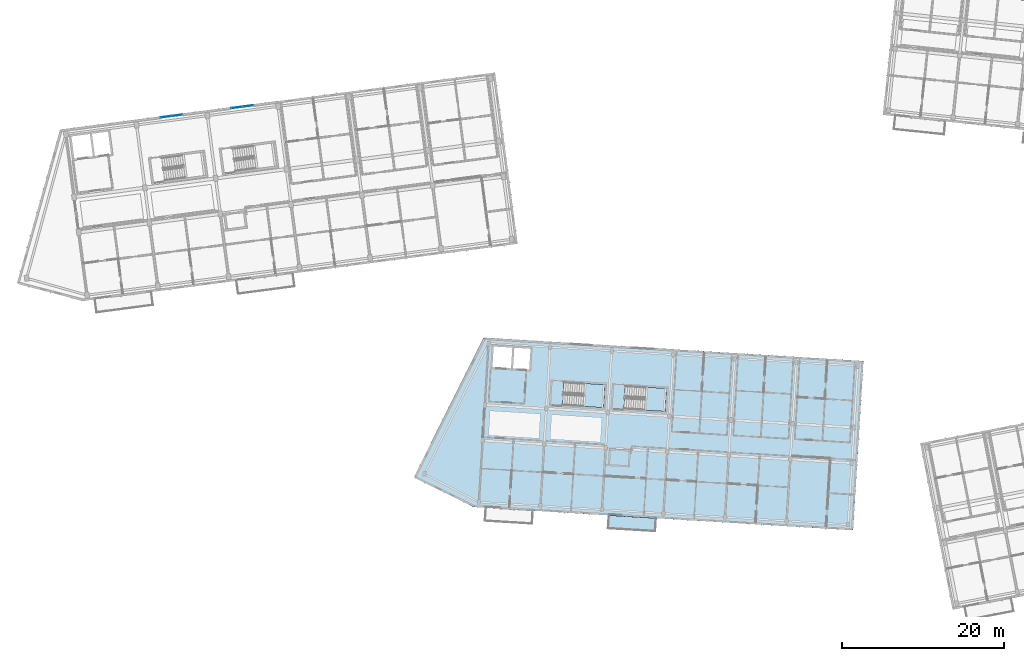
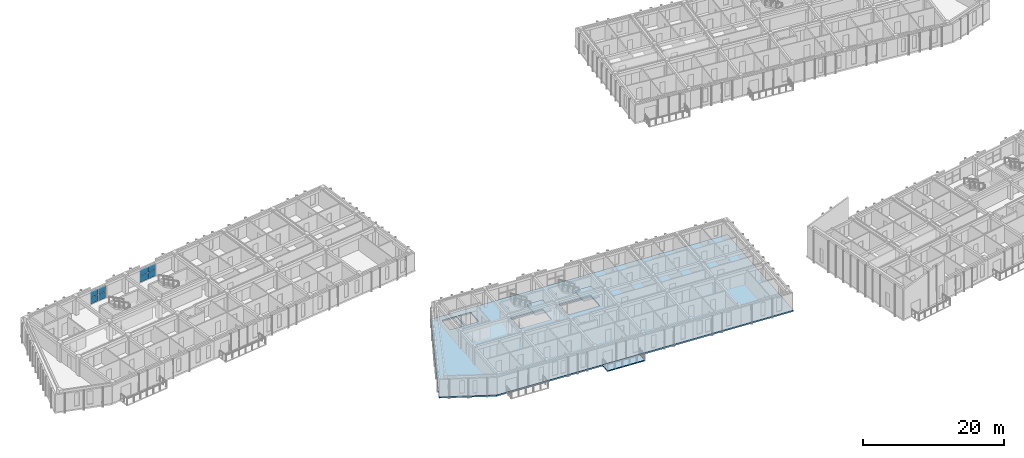
# One storey, part 16 of 65: 8 plates, 4 slabs, 4 elements without a shape of their own.
"""IFC4 building model written with IfcOpenShell, lengths in metres."""

from ifc_helpers import new_model, si_unit, direction, frame, origin, origin_2d, place, context, subcontext, project, spatial, polyline, rectangle, outline, extrude, material, layer, layer_set, type_object, element, aggregate, save


model = new_model("IFC4")

# Units and contexts
model_context = context("Model", 3, precision=1e-05, world=origin(), true_north=direction((0.0, 1.0)))
body_context = subcontext(model_context, "Body", "Model", "MODEL_VIEW")
ifc_project = project(units=[si_unit("LENGTHUNIT", "METRE"), si_unit("AREAUNIT", "SQUARE_METRE"), si_unit("VOLUMEUNIT", "CUBIC_METRE"), si_unit("PLANEANGLEUNIT", "RADIAN"), si_unit("MASSUNIT", "GRAM", prefix="KILO")], contexts=[model_context])

# Site, building, storey
site_placement = place(None, origin())
site = spatial("IfcSite", under=ifc_project, at=site_placement, CompositionType="ELEMENT")
building_placement = place(site_placement, origin())
building = spatial("IfcBuilding", under=site, at=building_placement, Name="Kestramere Prow Commons", CompositionType="ELEMENT")
storey_placement = place(building_placement, frame((0.0, 0.0, 21.39990234375)))
storey = spatial("IfcBuildingStorey", under=building, at=storey_placement, Name="L06", CompositionType="ELEMENT", Elevation=21.39990234375)

# Curtain wall, plates
ifc_material_1 = material(Name="Anodised Aluminium and Low-E Glass", Category="aluminium")
curtain_wall_type = type_object("IfcCurtainWallType", Name="CW-03 Glazed Curtain Wall 2830x2320", PredefinedType="USERDEFINED", material=ifc_material_1)
curtain_wall_1_placement = place(storey_placement, origin())
curtain_wall_1 = element("IfcCurtainWall", 1, at=curtain_wall_1_placement, inside=storey, type_object=curtain_wall_type, Name="Block A L06 Stairwell Vertical Glazing 2", ObjectType="GLAZED CURTAIN WALL", PredefinedType="USERDEFINED")
ifc_material_2 = material(Name="Low-E Laminated Double Glazing", Category="glass")
ifc_layer_1 = layer(ifc_material_2, 0.028076171875)
ifc_layer_set_1 = layer_set([ifc_layer_1], Name="Low-E Laminated Double Glazing")
plate_type = type_object("IfcPlateType", Name="CW-PNL-28", PredefinedType="CURTAIN_PANEL", material=ifc_layer_set_1)
plate_1_placement = place(storey_placement, frame((20.922607421875, 93.982177734375, 0.065185546875), z_axis=(0.0, 0.0, 1.0), x_axis=(0.991444867297, 0.13052614723, 0.0)))
plate_1 = element("IfcPlate", 2, at=plate_1_placement, type_object=plate_type, Name="CW-03 panel 1.1", PredefinedType="CURTAIN_PANEL", context=body_context, shape_type="SweptSolid", body=[
    extrude(rectangle(XDim=1.3173828125, YDim=0.028076171875, at=origin_2d()), origin(), (0.0, 0.0, 1.0), 1.0625),
])
plate_2_placement = place(storey_placement, frame((20.922607421875, 93.982177734375, 1.192626953125), z_axis=(0.0, 0.0, 1.0), x_axis=(0.991444867297, 0.13052614723, 0.0)))
plate_2 = element("IfcPlate", 3, at=plate_2_placement, type_object=plate_type, Name="CW-03 panel 1.2", PredefinedType="CURTAIN_PANEL", context=body_context, shape_type="SweptSolid", body=[
    extrude(rectangle(XDim=1.3173828125, YDim=0.028076171875, at=origin_2d()), origin(), (0.0, 0.0, 1.0), 1.0625),
])
plate_3_placement = place(storey_placement, frame((22.29345703125, 94.16259765625, 0.065185546875), z_axis=(0.0, 0.0, 1.0), x_axis=(0.991444867297, 0.13052614723, 0.0)))
plate_3 = element("IfcPlate", 4, at=plate_3_placement, type_object=plate_type, Name="CW-03 panel 2.1", PredefinedType="CURTAIN_PANEL", context=body_context, shape_type="SweptSolid", body=[
    extrude(rectangle(XDim=1.3173828125, YDim=0.028076171875, at=origin_2d()), origin(), (0.0, 0.0, 1.0), 1.0625),
])
plate_4_placement = place(storey_placement, frame((22.29345703125, 94.16259765625, 1.192626953125), z_axis=(0.0, 0.0, 1.0), x_axis=(0.991444867297, 0.13052614723, 0.0)))
plate_4 = element("IfcPlate", 5, at=plate_4_placement, type_object=plate_type, Name="CW-03 panel 2.2", PredefinedType="CURTAIN_PANEL", context=body_context, shape_type="SweptSolid", body=[
    extrude(rectangle(XDim=1.3173828125, YDim=0.028076171875, at=origin_2d()), origin(), (0.0, 0.0, 1.0), 1.0625),
])
aggregate(curtain_wall_1, [plate_1, plate_2, plate_3, plate_4])

curtain_wall_2_placement = place(storey_placement, origin())
curtain_wall_2 = element("IfcCurtainWall", 6, at=curtain_wall_2_placement, inside=storey, type_object=curtain_wall_type, Name="Block A L06 Stairwell Vertical Glazing 3", ObjectType="GLAZED CURTAIN WALL", PredefinedType="USERDEFINED")
plate_5_placement = place(storey_placement, frame((29.6474609375, 95.130859375, 0.065185546875), z_axis=(0.0, 0.0, 1.0), x_axis=(0.991444821571, 0.130526494555, 0.0)))
plate_5 = element("IfcPlate", 7, at=plate_5_placement, type_object=plate_type, Name="CW-03 panel 1.1", PredefinedType="CURTAIN_PANEL", context=body_context, shape_type="SweptSolid", body=[
    extrude(rectangle(XDim=1.3173828125, YDim=0.028076171875, at=origin_2d()), origin(), (0.0, 0.0, 1.0), 1.0625),
])
plate_6_placement = place(storey_placement, frame((29.6474609375, 95.130859375, 1.192626953125), z_axis=(0.0, 0.0, 1.0), x_axis=(0.991444821571, 0.130526494555, 0.0)))
plate_6 = element("IfcPlate", 8, at=plate_6_placement, type_object=plate_type, Name="CW-03 panel 1.2", PredefinedType="CURTAIN_PANEL", context=body_context, shape_type="SweptSolid", body=[
    extrude(rectangle(XDim=1.3173828125, YDim=0.028076171875, at=origin_2d()), origin(), (0.0, 0.0, 1.0), 1.0625),
])
plate_7_placement = place(storey_placement, frame((31.01806640625, 95.311279296875, 0.065185546875), z_axis=(0.0, 0.0, 1.0), x_axis=(0.991444821571, 0.130526494555, 0.0)))
plate_7 = element("IfcPlate", 9, at=plate_7_placement, type_object=plate_type, Name="CW-03 panel 2.1", PredefinedType="CURTAIN_PANEL", context=body_context, shape_type="SweptSolid", body=[
    extrude(rectangle(XDim=1.3173828125, YDim=0.028076171875, at=origin_2d()), origin(), (0.0, 0.0, 1.0), 1.0625),
])
plate_8_placement = place(storey_placement, frame((31.01806640625, 95.311279296875, 1.192626953125), z_axis=(0.0, 0.0, 1.0), x_axis=(0.991444821571, 0.130526494555, 0.0)))
plate_8 = element("IfcPlate", 10, at=plate_8_placement, type_object=plate_type, Name="CW-03 panel 2.2", PredefinedType="CURTAIN_PANEL", context=body_context, shape_type="SweptSolid", body=[
    extrude(rectangle(XDim=1.3173828125, YDim=0.028076171875, at=origin_2d()), origin(), (0.0, 0.0, 1.0), 1.0625),
])
aggregate(curtain_wall_2, [plate_5, plate_6, plate_7, plate_8])

# Slabs
ifc_material_3 = material(Name="Precast concrete C40/50", Category="concrete")
ifc_layer_2 = layer(ifc_material_3, 0.179931640625)
ifc_layer_set_2 = layer_set([ifc_layer_2], Name="Precast concrete C40/50")
slab_type_1 = type_object("IfcSlabType", Name="SL-BALC-180", PredefinedType="FLOOR", material=ifc_layer_set_2)
slab_1_placement = place(storey_placement, frame((0.0, 0.0, -0.179931640625)))
element("IfcSlab", 11, at=slab_1_placement, inside=storey, type_object=slab_type_1, Name="Block C L06 Apartment Balcony Slab 3", PredefinedType="FLOOR", context=body_context, shape_type="SweptSolid", body=[
    extrude(outline(polyline([(75.379638671875, 43.224365234375), (81.2685546875, 42.8642578125), (81.369384765625, 44.51123046875), (75.48046875, 44.871337890625), (75.379638671875, 43.224365234375)])), origin(), (0.0, 0.0, 1.0), 0.179931640625),
])
ifc_layer_3 = layer(ifc_material_3, 0.25)
ifc_layer_set_3 = layer_set([ifc_layer_3], Name="Precast concrete C40/50")
slab_type_2 = type_object("IfcSlabType", Name="SL-HC-250", PredefinedType="FLOOR", material=ifc_layer_set_3)
slab_2_placement = place(storey_placement, frame((0.0, 0.0, -0.25)))
element("IfcSlab", 12, at=slab_2_placement, inside=storey, type_object=slab_type_2, Name="Block C L06 Hollowcore Floor Slab", PredefinedType="FLOOR", context=body_context, shape_type="SweptSolid", body=[
    extrude(outline(polyline([(51.52392578125, 49.5927734375), (58.8115234375, 45.890869140625), (105.6240234375, 43.02783203125), (106.89990234375, 63.888671875), (60.08740234375, 66.751953125), (51.52392578125, 49.5927734375)]), holes=[polyline([(61.168212890625, 63.129150390625), (63.464111328125, 62.98876953125), (63.61962890625, 65.533935546875), (61.323974609375, 65.67431640625), (61.168212890625, 63.129150390625)]), polyline([(63.713623046875, 62.973388671875), (65.709716796875, 62.851318359375), (65.865478515625, 65.396728515625), (63.869140625, 65.518798828125), (63.713623046875, 62.973388671875)]), polyline([(69.79833984375, 58.443603515625), (74.888916015625, 58.13232421875), (75.062744140625, 60.976806640625), (69.972412109375, 61.288330078125), (69.79833984375, 58.443603515625)]), polyline([(77.38427734375, 57.9794921875), (82.474609375, 57.668212890625), (82.648681640625, 60.512939453125), (77.55810546875, 60.82421875), (77.38427734375, 57.9794921875)])]), origin(), (0.0, 0.0, 1.0), 0.25),
])

# Stair, slab
ifc_material_4 = material(Name="Concrete C40/50", Category="concrete")
stair_type = type_object("IfcStairType", Name="ST-DOG-1350", PredefinedType="HALF_TURN_STAIR", material=ifc_material_4)
stair_1_placement = place(storey_placement, origin())
stair_1 = element("IfcStair", 13, at=stair_1_placement, inside=storey, type_object=stair_type, Name="L06 Block C Exit Stair 1", PredefinedType="HALF_TURN_STAIR")
ifc_layer_4 = layer(ifc_material_4, 0.199951171875)
ifc_layer_set_4 = layer_set([ifc_layer_4], Name="Concrete C40/50")
slab_type_3 = type_object("IfcSlabType", Name="SL-ST-LAND-200", PredefinedType="LANDING", material=ifc_layer_set_4)
slab_3_placement = place(storey_placement, frame((0.0, 0.0, 1.425048828125)))
slab_3 = element("IfcSlab", 14, at=slab_3_placement, type_object=slab_type_3, Name="ST-C1 landing 1", PredefinedType="LANDING", context=body_context, shape_type="SweptSolid", body=[
    extrude(outline(polyline([(72.313720703125, 58.289794921875), (74.888916015625, 58.13232421875), (75.062744140625, 60.976806640625), (72.487548828125, 61.134521484375), (72.313720703125, 58.289794921875)])), origin(), (0.0, 0.0, 1.0), 0.199951171875),
])
aggregate(stair_1, [slab_3])

stair_2_placement = place(storey_placement, origin())
stair_2 = element("IfcStair", 15, at=stair_2_placement, inside=storey, type_object=stair_type, Name="L06 Block C Exit Stair 2", PredefinedType="HALF_TURN_STAIR")
slab_4_placement = place(storey_placement, frame((0.0, 0.0, 1.425048828125)))
slab_4 = element("IfcSlab", 16, at=slab_4_placement, type_object=slab_type_3, Name="ST-C2 landing 1", PredefinedType="LANDING", context=body_context, shape_type="SweptSolid", body=[
    extrude(outline(polyline([(79.8994140625, 57.82568359375), (82.474609375, 57.668212890625), (82.648681640625, 60.512939453125), (80.073486328125, 60.67041015625), (79.8994140625, 57.82568359375)])), origin(), (0.0, 0.0, 1.0), 0.199951171875),
])
aggregate(stair_2, [slab_4])

save(model, "model.ifc")
